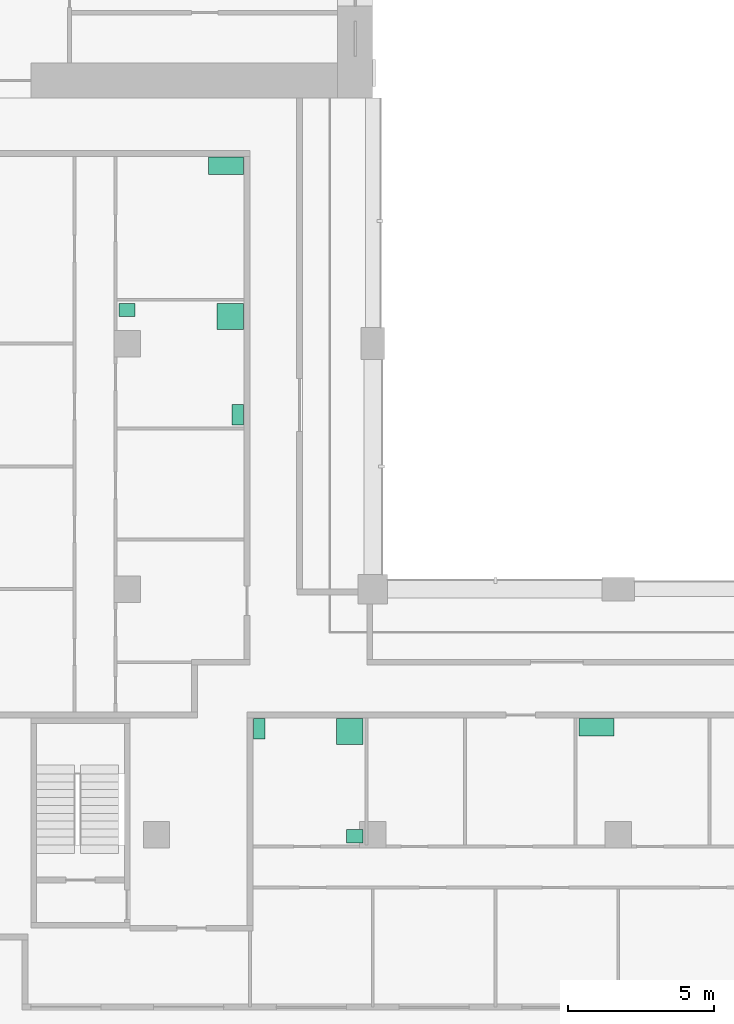
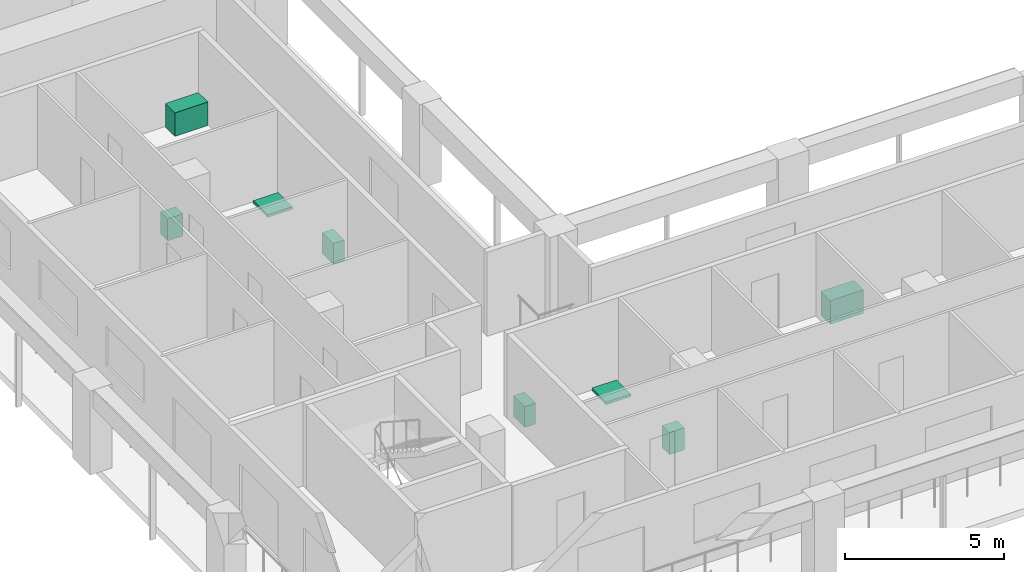
# One storey, part 9 of 9: 8 sanitary terminals.
"""IFC4 building model written with IfcOpenShell, lengths in metres."""

from ifc_helpers import new_model, si_unit, direction, frame, origin, origin_2d, place, context, subcontext, project, spatial, rectangle, extrude, material, element, save


model = new_model("IFC4")

# Units and contexts
model_context = context("Model", 3, precision=1e-05, world=origin(), true_north=direction((0.0, 1.0)))
body_context = subcontext(model_context, "Body", "Model", "MODEL_VIEW")
ifc_project = project(units=[si_unit("LENGTHUNIT", "METRE"), si_unit("AREAUNIT", "SQUARE_METRE"), si_unit("VOLUMEUNIT", "CUBIC_METRE"), si_unit("PLANEANGLEUNIT", "RADIAN"), si_unit("MASSUNIT", "GRAM", prefix="KILO")], contexts=[model_context])

# Site, building, storey
site_placement = place(None, origin())
site = spatial("IfcSite", under=ifc_project, at=site_placement, CompositionType="ELEMENT")
building_placement = place(site_placement, origin())
building = spatial("IfcBuilding", under=site, at=building_placement, Name="Vermilion Gate Residences", CompositionType="ELEMENT")
storey_placement = place(building_placement, frame((0.0, 0.0, 252.699951171875)))
storey = spatial("IfcBuildingStorey", under=building, at=storey_placement, Name="L66", CompositionType="ELEMENT", Elevation=252.699951171875)

# Sanitary terminals
ifc_material_1 = material(Name="Vitreous china")
sanitary_terminal_1_placement = place(storey_placement, frame((24.409912109375, 20.330078125, 0.0), z_axis=(0.0, 0.0, 1.0), x_axis=(1.0, 0.0, 0.0)))
element("IfcSanitaryTerminal", 1, at=sanitary_terminal_1_placement, inside=storey, material=ifc_material_1, Name="Shower tray", PredefinedType="SHOWER", context=body_context, shape_type="SweptSolid", body=[
    extrude(rectangle(XDim=0.89990234375, YDim=0.89990234375, at=origin_2d()), origin(), (0.0, 0.0, 1.0), 0.10009765625),
])
sanitary_terminal_2_placement = place(storey_placement, frame((21.320068359375, 20.429931640625, 0.0), z_axis=(0.0, 0.0, 1.0), x_axis=(1.0, 0.0, 0.0)))
element("IfcSanitaryTerminal", 2, at=sanitary_terminal_2_placement, inside=storey, material=ifc_material_1, Name="Toilet", PredefinedType="TOILETPAN", context=body_context, shape_type="SweptSolid", body=[
    extrude(rectangle(XDim=0.39990234375, YDim=0.699951171875, at=origin_2d()), origin(), (0.0, 0.0, 1.0), 0.800048828125),
])
sanitary_terminal_3_placement = place(storey_placement, frame((24.5849609375, 16.7451171875, 0.0), z_axis=(0.0, 0.0, 1.0), x_axis=(1.0, 0.0, 0.0)))
element("IfcSanitaryTerminal", 3, at=sanitary_terminal_3_placement, inside=storey, material=ifc_material_1, Name="Wash basin", PredefinedType="WASHHANDBASIN", context=body_context, shape_type="SweptSolid", body=[
    extrude(rectangle(XDim=0.550048828125, YDim=0.449951171875, at=origin_2d()), origin(), (0.0, 0.0, 1.0), 0.85009765625),
])
ifc_material_2 = material(Name="Stainless steel", Category="steel")
sanitary_terminal_4_placement = place(storey_placement, frame((32.860107421875, 20.47998046875, 0.0), z_axis=(0.0, 0.0, 1.0), x_axis=(1.0, 0.0, 0.0)))
element("IfcSanitaryTerminal", 4, at=sanitary_terminal_4_placement, inside=storey, material=ifc_material_2, Name="Kitchen sink", PredefinedType="SINK", context=body_context, shape_type="SweptSolid", body=[
    extrude(rectangle(XDim=1.199951171875, YDim=0.60009765625, at=origin_2d()), origin(), (0.0, 0.0, 1.0), 0.89990234375),
])
sanitary_terminal_5_placement = place(storey_placement, frame((20.330078125, 34.530029296875, 0.0), z_axis=(0.0, 0.0, 1.0), x_axis=(1.0, 0.0, 0.0)))
element("IfcSanitaryTerminal", 5, at=sanitary_terminal_5_placement, inside=storey, material=ifc_material_1, Name="Shower tray", PredefinedType="SHOWER", context=body_context, shape_type="SweptSolid", body=[
    extrude(rectangle(XDim=0.89990234375, YDim=0.89990234375, at=origin_2d()), origin(), (0.0, 0.0, 1.0), 0.10009765625),
])
sanitary_terminal_6_placement = place(storey_placement, frame((20.580078125, 31.169921875, 0.0), z_axis=(0.0, 0.0, 1.0), x_axis=(1.0, 0.0, 0.0)))
element("IfcSanitaryTerminal", 6, at=sanitary_terminal_6_placement, inside=storey, material=ifc_material_1, Name="Toilet", PredefinedType="TOILETPAN", context=body_context, shape_type="SweptSolid", body=[
    extrude(rectangle(XDim=0.39990234375, YDim=0.699951171875, at=origin_2d()), origin(), (0.0, 0.0, 1.0), 0.800048828125),
])
sanitary_terminal_7_placement = place(storey_placement, frame((16.794921875, 34.7548828125, 0.0), z_axis=(0.0, 0.0, 1.0), x_axis=(1.0, 0.0, 0.0)))
element("IfcSanitaryTerminal", 7, at=sanitary_terminal_7_placement, inside=storey, material=ifc_material_1, Name="Wash basin", PredefinedType="WASHHANDBASIN", context=body_context, shape_type="SweptSolid", body=[
    extrude(rectangle(XDim=0.550048828125, YDim=0.449951171875, at=origin_2d()), origin(), (0.0, 0.0, 1.0), 0.85009765625),
])
sanitary_terminal_8_placement = place(storey_placement, frame((20.179931640625, 39.679931640625, 0.0), z_axis=(0.0, 0.0, 1.0), x_axis=(1.0, 0.0, 0.0)))
element("IfcSanitaryTerminal", 8, at=sanitary_terminal_8_placement, inside=storey, material=ifc_material_2, Name="Kitchen sink", PredefinedType="SINK", context=body_context, shape_type="SweptSolid", body=[
    extrude(rectangle(XDim=1.199951171875, YDim=0.60009765625, at=origin_2d()), origin(), (0.0, 0.0, 1.0), 0.89990234375),
])

save(model, "model.ifc")
